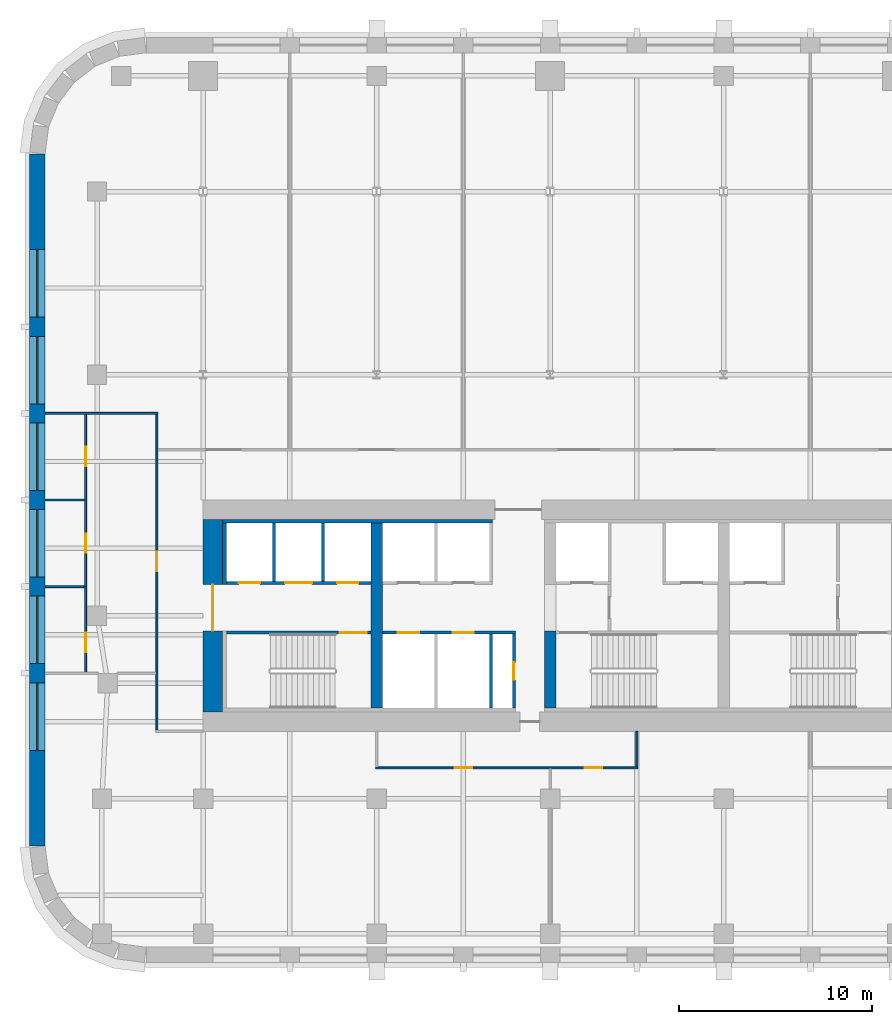
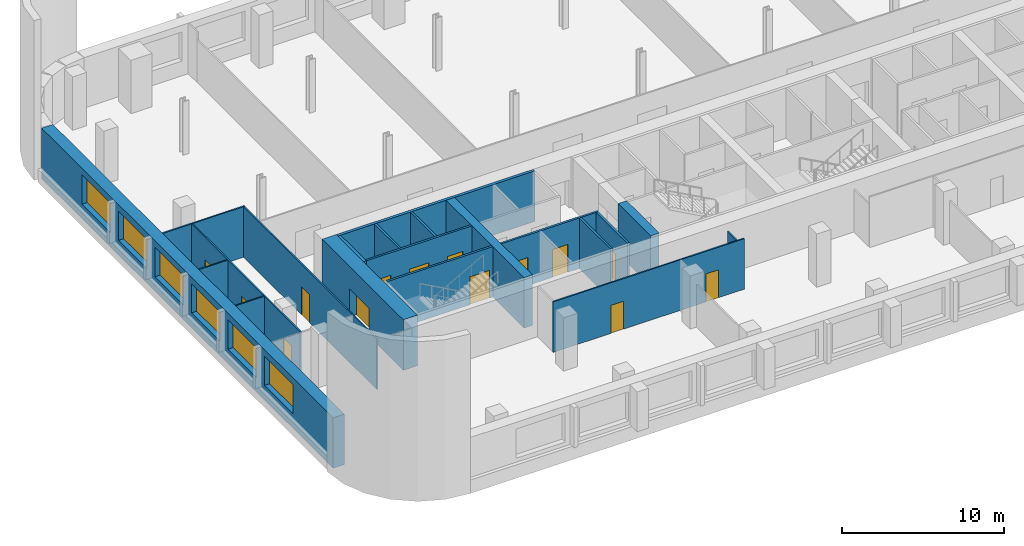
# One storey, part 3 of 9: 20 walls, 14 doors, 6 windows, 20 openings.
"""IFC4 building model written with IfcOpenShell, lengths in metres."""

from ifc_helpers import new_model, si_unit, direction, frame, frame_2d, origin, place, context, subcontext, project, spatial, rectangle, extrude, material, layer, layer_set, type_object, element, fill, save


model = new_model("IFC4")

# Units and contexts
model_context = context("Model", 3, precision=1e-05, world=origin(), true_north=direction((0.0, 1.0)))
body_context = subcontext(model_context, "Body", "Model", "MODEL_VIEW")
ifc_project = project(units=[si_unit("LENGTHUNIT", "METRE"), si_unit("AREAUNIT", "SQUARE_METRE"), si_unit("VOLUMEUNIT", "CUBIC_METRE"), si_unit("PLANEANGLEUNIT", "RADIAN"), si_unit("MASSUNIT", "GRAM", prefix="KILO")], contexts=[model_context])

# Site, building, storey
site_placement = place(None, origin())
site = spatial("IfcSite", under=ifc_project, at=site_placement, CompositionType="ELEMENT")
building_placement = place(site_placement, origin())
building = spatial("IfcBuilding", under=site, at=building_placement, Name="Zellij Exchange Tower", CompositionType="ELEMENT")
storey_placement = place(building_placement, frame((0.0, 0.0, 132.5)))
storey = spatial("IfcBuildingStorey", under=building, at=storey_placement, Name="L29", CompositionType="ELEMENT", Elevation=132.5)

# Walls
ifc_material_1 = material(Name="Concrete C70/85", Category="concrete")
ifc_layer_1 = layer(ifc_material_1, 0.60009765625)
ifc_layer_set_1 = layer_set([ifc_layer_1], Name="Concrete C70/85")
wall_type_1 = type_object("IfcWallType", Name="CORE-CW 600 C70/85", PredefinedType="SHEAR", material=ifc_layer_set_1)
wall_1_placement = place(storey_placement, frame((-18.0, -12.800048828125, 0.0), z_axis=(0.0, 0.0, 1.0), x_axis=(0.0, 1.0, 0.0)))
element("IfcWall", 1, at=wall_1_placement, inside=storey, type_object=wall_type_1, Name="Core cross wall x -18 L29", PredefinedType="SHEAR", context=body_context, shape_type="SweptSolid", body=[
    extrude(rectangle(XDim=9.60009765625, YDim=0.60009765625, at=frame_2d((4.800048828125, 0.0))), origin(), (0.0, 0.0, 1.0), 3.800048828125),
])
wall_2_placement = place(storey_placement, frame((-9.0, -12.800048828125, 0.0), z_axis=(0.0, 0.0, 1.0), x_axis=(0.0, 1.0, 0.0)))
element("IfcWall", 2, at=wall_2_placement, inside=storey, type_object=wall_type_1, Name="Core cross wall pier x -9 a L29", PredefinedType="SHEAR", context=body_context, shape_type="SweptSolid", body=[
    extrude(rectangle(XDim=4.0, YDim=0.60009765625, at=frame_2d((2.0, 0.0))), origin(), (0.0, 0.0, 1.0), 3.800048828125),
])
ifc_material_2 = material(Name="Concrete C30/37", Category="concrete")
ifc_layer_2 = layer(ifc_material_2, 0.199951171875)
ifc_layer_set_2 = layer_set([ifc_layer_2], Name="Concrete C30/37")
wall_type_2 = type_object("IfcWallType", Name="CORE-LW 200 C30/37", PredefinedType="SHEAR", material=ifc_layer_set_2)
wall_3_placement = place(storey_placement, frame((-26.0, -3.10009765625, 0.0), z_axis=(0.0, 0.0, 1.0), x_axis=(1.0, 0.0, 0.0)))
element("IfcWall", 3, at=wall_3_placement, inside=storey, type_object=wall_type_2, Name="Core wall lining front.0 L29", PredefinedType="SHEAR", context=body_context, shape_type="SweptSolid", body=[
    extrude(rectangle(XDim=14.0, YDim=0.199951171875, at=frame_2d((7.0, 0.0))), origin(), (0.0, 0.0, 1.0), 3.800048828125),
])
wall_4_placement = place(storey_placement, frame((-25.89990234375, -6.375, 0.0), z_axis=(0.0, 0.0, 1.0), x_axis=(0.0, 1.0, 0.0)))
element("IfcWall", 4, at=wall_4_placement, inside=storey, type_object=wall_type_2, Name="Core wall lining end w.1 L29", PredefinedType="SHEAR", context=body_context, shape_type="SweptSolid", body=[
    extrude(rectangle(XDim=3.175048828125, YDim=0.199951171875, at=frame_2d((1.58740234375, 0.0))), origin(), (0.0, 0.0, 1.0), 3.800048828125),
])

# Wall, opening, door
ifc_material_3 = material(Name="Gypsum board partition")
ifc_layer_3 = layer(ifc_material_3, 0.14990234375)
ifc_layer_set_3 = layer_set([ifc_layer_3], Name="Gypsum board partition")
wall_type_3 = type_object("IfcWallType", Name="CORE-PW 150 Lift lobby wall", PredefinedType="PARTITIONING", material=ifc_layer_set_3)
wall_5_placement = place(storey_placement, frame((-10.875, -12.800048828125, 0.0), z_axis=(0.0, 0.0, 1.0), x_axis=(0.0, 1.0, 0.0)))
wall_5 = element("IfcWall", 5, at=wall_5_placement, inside=storey, type_object=wall_type_3, Name="Lift lobby wall L29", PredefinedType="PARTITIONING", context=body_context, shape_type="SweptSolid", body=[
    extrude(rectangle(XDim=3.85009765625, YDim=0.14990234375, at=frame_2d((1.925048828125, 0.0))), origin(), (0.0, 0.0, 1.0), 3.800048828125),
])
opening_1_placement = place(wall_5_placement, frame((1.47509765625, 0.0, 0.0)))
opening_1 = element("IfcOpeningElement", 6, at=opening_1_placement, cuts=wall_5, Name="Opening CA-15.10", PredefinedType="OPENING", context=body_context, shape_type="SweptSolid", body=[
    extrude(rectangle(XDim=0.89990234375, YDim=2.10009765625, at=frame_2d((0.449951171875, 1.050048828125))), frame((0.0, 0.0869140625, 0.0), z_axis=(0.0, -1.0, 0.0), x_axis=(1.0, 0.0, 0.0)), (0.0, 0.0, 1.0), 0.173828125),
])
ifc_material_4 = material(Name="Hollow metal fire door")
door_type_1 = type_object("IfcDoorType", Name="CORE-D RD Riser door 900x2100 1.5 HR", OperationType="NOTDEFINED", PredefinedType="DOOR", material=ifc_material_4)
door_1_placement = place(opening_1_placement, origin())
door_1 = element("IfcDoor", 7, at=door_1_placement, inside=storey, type_object=door_type_1, Name="Riser door CA-15.10", OperationType="SINGLE_SWING_RIGHT", OverallHeight=2.10009765625, OverallWidth=0.89990234375, PredefinedType="DOOR", context=body_context, shape_type="SweptSolid", body=[
    extrude(rectangle(XDim=0.89990234375, YDim=2.10009765625, at=frame_2d((0.449951171875, 1.050048828125))), frame((0.0, 0.02490234375, 0.0), z_axis=(0.0, -1.0, 0.0), x_axis=(1.0, 0.0, 0.0)), (0.0, 0.0, 1.0), 0.050048828125),
])
fill(opening_1, door_1)

# Walls
ifc_material_5 = material(Name="Gypsum shaft wall system")
ifc_layer_4 = layer(ifc_material_5, 0.14990234375)
ifc_layer_set_4 = layer_set([ifc_layer_4], Name="Gypsum shaft wall system")
wall_type_4 = type_object("IfcWallType", Name="CORE-PW 150 Lift shaft wall", PredefinedType="PARTITIONING", material=ifc_layer_set_4)
for number, where, z_axis, x_axis, name in (
    (8, (-20.77490234375, -6.22509765625, 0.0), (0.0, 0.0, 1.0), (0.0, 1.0, 0.0), "Lift shaft wall L29"),
    (9, (-23.324951171875, -6.22509765625, 0.0), (0.0, 0.0, 1.0), (0.0, 1.0, 0.0), "Lift shaft wall L29"),
):
    element("IfcWall", number, at=place(storey_placement, frame(where, z_axis=z_axis, x_axis=x_axis)), inside=storey, type_object=wall_type_4, Name=name, PredefinedType="PARTITIONING", context=body_context, shape_type="SweptSolid", body=[
        extrude(rectangle(XDim=3.025146484375, YDim=0.14990234375, at=frame_2d((1.5126953125, 0.0))), origin(), (0.0, 0.0, 1.0), 3.800048828125),
    ])
wall_6_placement = place(storey_placement, frame((-12.074951171875, -12.800048828125, 0.0), z_axis=(0.0, 0.0, 1.0), x_axis=(0.0, 1.0, 0.0)))
element("IfcWall", 10, at=wall_6_placement, inside=storey, type_object=wall_type_4, Name="Lift shaft wall L29", PredefinedType="PARTITIONING", context=body_context, shape_type="SweptSolid", body=[
    extrude(rectangle(XDim=3.85009765625, YDim=0.14990234375, at=frame_2d((1.925048828125, 0.0))), origin(), (0.0, 0.0, 1.0), 3.800048828125),
])

# Wall, openings, doors
wall_7_placement = place(storey_placement, frame((-25.800048828125, -6.300048828125, 0.0), z_axis=(0.0, 0.0, 1.0), x_axis=(1.0, 0.0, 0.0)))
wall_7 = element("IfcWall", 11, at=wall_7_placement, inside=storey, type_object=wall_type_4, Name="Lift shaft wall L29", PredefinedType="PARTITIONING", context=body_context, shape_type="SweptSolid", body=[
    extrude(rectangle(XDim=7.5, YDim=0.14990234375, at=frame_2d((3.75, 0.0))), origin(), (0.0, 0.0, 1.0), 3.800048828125),
])
opening_2_placement = place(wall_7_placement, frame((0.64990234375, 0.0, 0.0)))
opening_2 = element("IfcOpeningElement", 12, at=opening_2_placement, cuts=wall_7, Name="Opening CA-15.02", PredefinedType="OPENING", context=body_context, shape_type="SweptSolid", body=[
    extrude(rectangle(XDim=1.10009765625, YDim=2.10009765625, at=frame_2d((0.550048828125, 1.050048828125))), frame((0.0, 0.0869140625, 0.0), z_axis=(0.0, -1.0, 0.0), x_axis=(1.0, 0.0, 0.0)), (0.0, 0.0, 1.0), 0.173828125),
])
opening_3_placement = place(wall_7_placement, frame((3.050048828125, 0.0, 0.0)))
opening_3 = element("IfcOpeningElement", 13, at=opening_3_placement, cuts=wall_7, Name="Opening CA-15.03", PredefinedType="OPENING", context=body_context, shape_type="SweptSolid", body=[
    extrude(rectangle(XDim=1.39990234375, YDim=2.10009765625, at=frame_2d((0.699951171875, 1.050048828125))), frame((0.0, 0.0869140625, 0.0), z_axis=(0.0, -1.0, 0.0), x_axis=(1.0, 0.0, 0.0)), (0.0, 0.0, 1.0), 0.173828125),
])
opening_4_placement = place(wall_7_placement, frame((5.75, 0.0, 0.0)))
opening_4 = element("IfcOpeningElement", 14, at=opening_4_placement, cuts=wall_7, Name="Opening CA-15.04", PredefinedType="OPENING", context=body_context, shape_type="SweptSolid", body=[
    extrude(rectangle(XDim=1.10009765625, YDim=2.10009765625, at=frame_2d((0.550048828125, 1.050048828125))), frame((0.0, 0.0869140625, 0.0), z_axis=(0.0, -1.0, 0.0), x_axis=(1.0, 0.0, 0.0)), (0.0, 0.0, 1.0), 0.173828125),
])
door_type_2 = type_object("IfcDoorType", Name="CORE-D LD Lift landing door 1100x2100 1.5 HR", OperationType="NOTDEFINED", PredefinedType="DOOR", material=ifc_material_4)
door_2_placement = place(opening_2_placement, origin())
door_2 = element("IfcDoor", 15, at=door_2_placement, inside=storey, type_object=door_type_2, Name="Lift landing door CA-15.02", OperationType="SLIDING_TO_RIGHT", OverallHeight=2.10009765625, OverallWidth=1.10009765625, PredefinedType="DOOR", context=body_context, shape_type="SweptSolid", body=[
    extrude(rectangle(XDim=1.10009765625, YDim=2.10009765625, at=frame_2d((0.550048828125, 1.050048828125))), frame((0.0, 0.02490234375, 0.0), z_axis=(0.0, -1.0, 0.0), x_axis=(1.0, 0.0, 0.0)), (0.0, 0.0, 1.0), 0.050048828125),
])
fill(opening_2, door_2)
door_3_placement = place(opening_4_placement, origin())
door_3 = element("IfcDoor", 16, at=door_3_placement, inside=storey, type_object=door_type_2, Name="Lift landing door CA-15.04", OperationType="SLIDING_TO_RIGHT", OverallHeight=2.10009765625, OverallWidth=1.10009765625, PredefinedType="DOOR", context=body_context, shape_type="SweptSolid", body=[
    extrude(rectangle(XDim=1.10009765625, YDim=2.10009765625, at=frame_2d((0.550048828125, 1.050048828125))), frame((0.0, 0.02490234375, 0.0), z_axis=(0.0, -1.0, 0.0), x_axis=(1.0, 0.0, 0.0)), (0.0, 0.0, 1.0), 0.050048828125),
])
fill(opening_4, door_3)
door_type_3 = type_object("IfcDoorType", Name="CORE-D LD2 Service lift landing door 1400x2100 1.5 HR", OperationType="NOTDEFINED", PredefinedType="DOOR", material=ifc_material_4)
door_4_placement = place(opening_3_placement, origin())
door_4 = element("IfcDoor", 17, at=door_4_placement, inside=storey, type_object=door_type_3, Name="Service lift landing door CA-15.03", OperationType="SLIDING_TO_LEFT", OverallHeight=2.10009765625, OverallWidth=1.39990234375, PredefinedType="DOOR", context=body_context, shape_type="SweptSolid", body=[
    extrude(rectangle(XDim=1.39990234375, YDim=2.10009765625, at=frame_2d((0.699951171875, 1.050048828125))), frame((0.0, 0.02490234375, 0.0), z_axis=(0.0, -1.0, 0.0), x_axis=(1.0, 0.0, 0.0)), (0.0, 0.0, 1.0), 0.050048828125),
])
fill(opening_3, door_4)

wall_8_placement = place(storey_placement, frame((-17.699951171875, -8.875, 0.0), z_axis=(0.0, 0.0, 1.0), x_axis=(1.0, 0.0, 0.0)))
wall_8 = element("IfcWall", 18, at=wall_8_placement, inside=storey, type_object=wall_type_4, Name="Lift shaft wall L29", PredefinedType="PARTITIONING", context=body_context, shape_type="SweptSolid", body=[
    extrude(rectangle(XDim=6.89990234375, YDim=0.14990234375, at=frame_2d((3.449951171875, 0.0))), origin(), (0.0, 0.0, 1.0), 3.800048828125),
])
opening_5_placement = place(wall_8_placement, frame((0.800048828125, 0.0, 0.0)))
opening_5 = element("IfcOpeningElement", 19, at=opening_5_placement, cuts=wall_8, Name="Opening CA-15.06", PredefinedType="OPENING", context=body_context, shape_type="SweptSolid", body=[
    extrude(rectangle(XDim=1.10009765625, YDim=2.10009765625, at=frame_2d((0.550048828125, 1.050048828125))), frame((0.0, 0.0869140625, 0.0), z_axis=(0.0, -1.0, 0.0), x_axis=(1.0, 0.0, 0.0)), (0.0, 0.0, 1.0), 0.173828125),
])
opening_6_placement = place(wall_8_placement, frame((3.64990234375, 0.0, 0.0)))
opening_6 = element("IfcOpeningElement", 20, at=opening_6_placement, cuts=wall_8, Name="Opening CA-15.08", PredefinedType="OPENING", context=body_context, shape_type="SweptSolid", body=[
    extrude(rectangle(XDim=1.10009765625, YDim=2.10009765625, at=frame_2d((0.550048828125, 1.050048828125))), frame((0.0, 0.0869140625, 0.0), z_axis=(0.0, -1.0, 0.0), x_axis=(1.0, 0.0, 0.0)), (0.0, 0.0, 1.0), 0.173828125),
])
door_5_placement = place(opening_5_placement, origin())
door_5 = element("IfcDoor", 21, at=door_5_placement, inside=storey, type_object=door_type_2, Name="Lift landing door CA-15.06", OperationType="SLIDING_TO_RIGHT", OverallHeight=2.10009765625, OverallWidth=1.10009765625, PredefinedType="DOOR", context=body_context, shape_type="SweptSolid", body=[
    extrude(rectangle(XDim=1.10009765625, YDim=2.10009765625, at=frame_2d((0.550048828125, 1.050048828125))), frame((0.0, 0.02490234375, 0.0), z_axis=(0.0, -1.0, 0.0), x_axis=(1.0, 0.0, 0.0)), (0.0, 0.0, 1.0), 0.050048828125),
])
fill(opening_5, door_5)
door_6_placement = place(opening_6_placement, origin())
door_6 = element("IfcDoor", 22, at=door_6_placement, inside=storey, type_object=door_type_2, Name="Lift landing door CA-15.08", OperationType="SLIDING_TO_RIGHT", OverallHeight=2.10009765625, OverallWidth=1.10009765625, PredefinedType="DOOR", context=body_context, shape_type="SweptSolid", body=[
    extrude(rectangle(XDim=1.10009765625, YDim=2.10009765625, at=frame_2d((0.550048828125, 1.050048828125))), frame((0.0, 0.02490234375, 0.0), z_axis=(0.0, -1.0, 0.0), x_axis=(1.0, 0.0, 0.0)), (0.0, 0.0, 1.0), 0.050048828125),
])
fill(opening_6, door_6)

# Wall, opening, door
ifc_layer_5 = layer(ifc_material_1, 1.0)
ifc_layer_set_5 = layer_set([ifc_layer_5], Name="Concrete C70/85")
wall_type_5 = type_object("IfcWallType", Name="CORE-SW 1000 C70/85", PredefinedType="SHEAR", material=ifc_layer_set_5)
wall_9_placement = place(storey_placement, frame((-26.5, -13.0, 0.0), z_axis=(0.0, 0.0, 1.0), x_axis=(0.0, 1.0, 0.0)))
wall_9 = element("IfcWall", 23, at=wall_9_placement, inside=storey, type_object=wall_type_5, Name="Core shear wall end w L29", PredefinedType="SHEAR", context=body_context, shape_type="SweptSolid", body=[
    extrude(rectangle(XDim=10.0, YDim=1.0, at=frame_2d((5.0, 0.0))), origin(), (0.0, 0.0, 1.0), 3.800048828125),
])
opening_7_placement = place(wall_9_placement, frame((4.2119140625, 0.0, 0.0)))
opening_7 = element("IfcOpeningElement", 24, at=opening_7_placement, cuts=wall_9, Name="Opening CA-15.01", PredefinedType="OPENING", context=body_context, shape_type="SweptSolid", body=[
    extrude(rectangle(XDim=2.39990234375, YDim=2.10009765625, at=frame_2d((1.199951171875, 1.050048828125))), frame((0.0, 0.511962890625, 0.0), z_axis=(0.0, -1.0, 0.0), x_axis=(1.0, 0.0, 0.0)), (0.0, 0.0, 1.0), 1.02392578125),
])
door_type_4 = type_object("IfcDoorType", Name="CORE-D CE Core entrance door 2400x2100 20 MIN", OperationType="NOTDEFINED", PredefinedType="DOOR", material=ifc_material_4)
door_7_placement = place(opening_7_placement, origin())
door_7 = element("IfcDoor", 25, at=door_7_placement, inside=storey, type_object=door_type_4, Name="Core entrance door CA-15.01", OperationType="DOUBLE_DOOR_SINGLE_SWING", OverallHeight=2.10009765625, OverallWidth=2.39990234375, PredefinedType="DOOR", context=body_context, shape_type="SweptSolid", body=[
    extrude(rectangle(XDim=2.39990234375, YDim=2.10009765625, at=frame_2d((1.199951171875, 1.050048828125))), frame((0.0, 0.02490234375, 0.0), z_axis=(0.0, -1.0, 0.0), x_axis=(1.0, 0.0, 0.0)), (0.0, 0.0, 1.0), 0.050048828125),
])
fill(opening_7, door_7)

ifc_layer_6 = layer(ifc_material_1, 0.14990234375)
ifc_layer_set_6 = layer_set([ifc_layer_6], Name="Concrete C70/85")
wall_type_6 = type_object("IfcWallType", Name="CORE-SWS 150 C70/85", PredefinedType="SHEAR", material=ifc_layer_set_6)
wall_10_placement = place(storey_placement, frame((-25.800048828125, -8.875, 0.0), z_axis=(0.0, 0.0, 1.0), x_axis=(1.0, 0.0, 0.0)))
wall_10 = element("IfcWall", 26, at=wall_10_placement, inside=storey, type_object=wall_type_6, Name="Stair enclosure wall L29", PredefinedType="SHEAR", context=body_context, shape_type="SweptSolid", body=[
    extrude(rectangle(XDim=7.5, YDim=0.14990234375, at=frame_2d((3.75, 0.0))), origin(), (0.0, 0.0, 1.0), 3.800048828125),
])
opening_8_placement = place(wall_10_placement, frame((5.875, 0.0, 0.0)))
opening_8 = element("IfcOpeningElement", 27, at=opening_8_placement, cuts=wall_10, Name="Opening CA-15.05", PredefinedType="OPENING", context=body_context, shape_type="SweptSolid", body=[
    extrude(rectangle(XDim=1.39990234375, YDim=2.10009765625, at=frame_2d((0.699951171875, 1.050048828125))), frame((0.0, 0.0869140625, 0.0), z_axis=(0.0, -1.0, 0.0), x_axis=(1.0, 0.0, 0.0)), (0.0, 0.0, 1.0), 0.173828125),
])
door_type_5 = type_object("IfcDoorType", Name="CORE-D SD Stair door 1400x2100 1.5 HR", OperationType="NOTDEFINED", PredefinedType="DOOR", material=ifc_material_4)
door_8_placement = place(opening_8_placement, origin())
door_8 = element("IfcDoor", 28, at=door_8_placement, inside=storey, type_object=door_type_5, Name="Stair door CA-15.05", OperationType="DOUBLE_DOOR_SINGLE_SWING", OverallHeight=2.10009765625, OverallWidth=1.39990234375, PredefinedType="DOOR", context=body_context, shape_type="SweptSolid", body=[
    extrude(rectangle(XDim=1.39990234375, YDim=2.10009765625, at=frame_2d((0.699951171875, 1.050048828125))), frame((0.0, 0.02490234375, 0.0), z_axis=(0.0, -1.0, 0.0), x_axis=(1.0, 0.0, 0.0)), (0.0, 0.0, 1.0), 0.050048828125),
])
fill(opening_8, door_8)

# Wall, openings, windows
ifc_material_6 = material(Name="Precast concrete C40/50", Category="concrete")
ifc_layer_7 = layer(ifc_material_6, 0.800048828125)
ifc_layer_set_7 = layer_set([ifc_layer_7], Name="Precast concrete C40/50")
wall_type_7 = type_object("IfcWallType", Name="ENV-EW1 Precast stone-piered wall 800", PredefinedType="SOLIDWALL", material=ifc_layer_set_7)
wall_11_placement = place(storey_placement, frame((-35.60009765625, 15.947509765625, 0.0), z_axis=(0.0, 0.0, 1.0), x_axis=(0.0, -1.0, 0.0)))
wall_11 = element("IfcWall", 29, at=wall_11_placement, inside=storey, type_object=wall_type_7, Name="fac.L29.26", PredefinedType="SOLIDWALL", context=body_context, shape_type="SweptSolid", body=[
    extrude(rectangle(XDim=35.89501953125, YDim=0.800048828125, at=frame_2d((17.947509765625, 0.0))), origin(), (0.0, 0.0, 1.0), 3.800048828125),
])
opening_9_placement = place(wall_11_placement, frame((4.9638671875, 0.0, 1.10009765625)))
opening_9 = element("IfcOpeningElement", 30, at=opening_9_placement, cuts=wall_11, Name="Opening FZ2.31", PredefinedType="OPENING", context=body_context, shape_type="SweptSolid", body=[
    extrude(rectangle(XDim=3.5, YDim=2.199951171875, at=frame_2d((1.75, 1.10009765625))), frame((0.0, 0.412109375, 0.0), z_axis=(0.0, -1.0, 0.0), x_axis=(1.0, 0.0, 0.0)), (0.0, 0.0, 1.0), 0.823974609375),
])
opening_10_placement = place(wall_11_placement, frame((9.45751953125, 0.0, 1.10009765625)))
opening_10 = element("IfcOpeningElement", 31, at=opening_10_placement, cuts=wall_11, Name="Opening FZ2.32", PredefinedType="OPENING", context=body_context, shape_type="SweptSolid", body=[
    extrude(rectangle(XDim=3.5, YDim=2.199951171875, at=frame_2d((1.75, 1.10009765625))), frame((0.0, 0.412109375, 0.0), z_axis=(0.0, -1.0, 0.0), x_axis=(1.0, 0.0, 0.0)), (0.0, 0.0, 1.0), 0.823974609375),
])
opening_11_placement = place(wall_11_placement, frame((13.950927734375, 0.0, 1.10009765625)))
opening_11 = element("IfcOpeningElement", 32, at=opening_11_placement, cuts=wall_11, Name="Opening FZ2.33", PredefinedType="OPENING", context=body_context, shape_type="SweptSolid", body=[
    extrude(rectangle(XDim=3.5, YDim=2.199951171875, at=frame_2d((1.75, 1.10009765625))), frame((0.0, 0.412109375, 0.0), z_axis=(0.0, -1.0, 0.0), x_axis=(1.0, 0.0, 0.0)), (0.0, 0.0, 1.0), 0.823974609375),
])
opening_12_placement = place(wall_11_placement, frame((18.4443359375, 0.0, 1.10009765625)))
opening_12 = element("IfcOpeningElement", 33, at=opening_12_placement, cuts=wall_11, Name="Opening FZ2.34", PredefinedType="OPENING", context=body_context, shape_type="SweptSolid", body=[
    extrude(rectangle(XDim=3.5, YDim=2.199951171875, at=frame_2d((1.75, 1.10009765625))), frame((0.0, 0.412109375, 0.0), z_axis=(0.0, -1.0, 0.0), x_axis=(1.0, 0.0, 0.0)), (0.0, 0.0, 1.0), 0.823974609375),
])
opening_13_placement = place(wall_11_placement, frame((22.937744140625, 0.0, 1.10009765625)))
opening_13 = element("IfcOpeningElement", 34, at=opening_13_placement, cuts=wall_11, Name="Opening FZ2.35", PredefinedType="OPENING", context=body_context, shape_type="SweptSolid", body=[
    extrude(rectangle(XDim=3.5, YDim=2.199951171875, at=frame_2d((1.75, 1.10009765625))), frame((0.0, 0.412109375, 0.0), z_axis=(0.0, -1.0, 0.0), x_axis=(1.0, 0.0, 0.0)), (0.0, 0.0, 1.0), 0.823974609375),
])
opening_14_placement = place(wall_11_placement, frame((27.43115234375, 0.0, 1.10009765625)))
opening_14 = element("IfcOpeningElement", 35, at=opening_14_placement, cuts=wall_11, Name="Opening FZ2.36", PredefinedType="OPENING", context=body_context, shape_type="SweptSolid", body=[
    extrude(rectangle(XDim=3.5, YDim=2.199951171875, at=frame_2d((1.75, 1.10009765625))), frame((0.0, 0.412109375, 0.0), z_axis=(0.0, -1.0, 0.0), x_axis=(1.0, 0.0, 0.0)), (0.0, 0.0, 1.0), 0.823974609375),
])
ifc_material_7 = material(Name="Aluminium frame with insulating glass", Category="aluminium")
window_type = type_object("IfcWindowType", Name="ENV-W7 Window 3500x2200", PartitioningType="SINGLE_PANEL", PredefinedType="WINDOW", material=ifc_material_7)
window_1_placement = place(opening_9_placement, origin())
window_1 = element("IfcWindow", 36, at=window_1_placement, inside=storey, type_object=window_type, Name="Window FZ2.31", OverallHeight=2.199951171875, OverallWidth=3.5, PartitioningType="SINGLE_PANEL", PredefinedType="WINDOW", context=body_context, shape_type="SweptSolid", body=[
    extrude(rectangle(XDim=3.5, YDim=2.199951171875, at=frame_2d((1.75, 1.10009765625))), frame((0.0, 0.030029296875, 0.0), z_axis=(0.0, -1.0, 0.0), x_axis=(1.0, 0.0, 0.0)), (0.0, 0.0, 1.0), 0.06005859375),
])
fill(opening_9, window_1)
window_2_placement = place(opening_10_placement, origin())
window_2 = element("IfcWindow", 37, at=window_2_placement, inside=storey, type_object=window_type, Name="Window FZ2.32", OverallHeight=2.199951171875, OverallWidth=3.5, PartitioningType="SINGLE_PANEL", PredefinedType="WINDOW", context=body_context, shape_type="SweptSolid", body=[
    extrude(rectangle(XDim=3.5, YDim=2.199951171875, at=frame_2d((1.75, 1.10009765625))), frame((0.0, 0.030029296875, 0.0), z_axis=(0.0, -1.0, 0.0), x_axis=(1.0, 0.0, 0.0)), (0.0, 0.0, 1.0), 0.06005859375),
])
fill(opening_10, window_2)
window_3_placement = place(opening_11_placement, origin())
window_3 = element("IfcWindow", 38, at=window_3_placement, inside=storey, type_object=window_type, Name="Window FZ2.33", OverallHeight=2.199951171875, OverallWidth=3.5, PartitioningType="SINGLE_PANEL", PredefinedType="WINDOW", context=body_context, shape_type="SweptSolid", body=[
    extrude(rectangle(XDim=3.5, YDim=2.199951171875, at=frame_2d((1.75, 1.10009765625))), frame((0.0, 0.030029296875, 0.0), z_axis=(0.0, -1.0, 0.0), x_axis=(1.0, 0.0, 0.0)), (0.0, 0.0, 1.0), 0.06005859375),
])
fill(opening_11, window_3)
window_4_placement = place(opening_12_placement, origin())
window_4 = element("IfcWindow", 39, at=window_4_placement, inside=storey, type_object=window_type, Name="Window FZ2.34", OverallHeight=2.199951171875, OverallWidth=3.5, PartitioningType="SINGLE_PANEL", PredefinedType="WINDOW", context=body_context, shape_type="SweptSolid", body=[
    extrude(rectangle(XDim=3.5, YDim=2.199951171875, at=frame_2d((1.75, 1.10009765625))), frame((0.0, 0.030029296875, 0.0), z_axis=(0.0, -1.0, 0.0), x_axis=(1.0, 0.0, 0.0)), (0.0, 0.0, 1.0), 0.06005859375),
])
fill(opening_12, window_4)
window_5_placement = place(opening_13_placement, origin())
window_5 = element("IfcWindow", 40, at=window_5_placement, inside=storey, type_object=window_type, Name="Window FZ2.35", OverallHeight=2.199951171875, OverallWidth=3.5, PartitioningType="SINGLE_PANEL", PredefinedType="WINDOW", context=body_context, shape_type="SweptSolid", body=[
    extrude(rectangle(XDim=3.5, YDim=2.199951171875, at=frame_2d((1.75, 1.10009765625))), frame((0.0, 0.030029296875, 0.0), z_axis=(0.0, -1.0, 0.0), x_axis=(1.0, 0.0, 0.0)), (0.0, 0.0, 1.0), 0.06005859375),
])
fill(opening_13, window_5)
window_6_placement = place(opening_14_placement, origin())
window_6 = element("IfcWindow", 41, at=window_6_placement, inside=storey, type_object=window_type, Name="Window FZ2.36", OverallHeight=2.199951171875, OverallWidth=3.5, PartitioningType="SINGLE_PANEL", PredefinedType="WINDOW", context=body_context, shape_type="SweptSolid", body=[
    extrude(rectangle(XDim=3.5, YDim=2.199951171875, at=frame_2d((1.75, 1.10009765625))), frame((0.0, 0.030029296875, 0.0), z_axis=(0.0, -1.0, 0.0), x_axis=(1.0, 0.0, 0.0)), (0.0, 0.0, 1.0), 0.06005859375),
])
fill(opening_14, window_6)

# Wall, openings, doors
ifc_material_8 = material(Name="Gypsum board partition on steel studs", Category="steel")
ifc_layer_8 = layer(ifc_material_8, 0.10009765625)
ifc_layer_set_8 = layer_set([ifc_layer_8], Name="Gypsum board partition on steel studs")
wall_type_8 = type_object("IfcWallType", Name="FIT-PARTITION-100", PredefinedType="PARTITIONING", material=ifc_layer_set_8)
wall_12_placement = place(storey_placement, frame((-18.050048828125, -15.89990234375, 0.0), z_axis=(0.0, 0.0, 1.0), x_axis=(1.0, 0.0, 0.0)))
wall_12 = element("IfcWall", 42, at=wall_12_placement, inside=storey, type_object=wall_type_8, Name="FIT-PARTITION-100 005", PredefinedType="PARTITIONING", context=body_context, shape_type="SweptSolid", body=[
    extrude(rectangle(XDim=13.60009765625, YDim=0.10009765625, at=frame_2d((6.800048828125, 0.0))), origin(), (0.0, 0.0, 1.0), 3.800048828125),
])
opening_15_placement = place(wall_12_placement, frame((4.10009765625, 0.0, 0.0)))
opening_15 = element("IfcOpeningElement", 43, at=opening_15_placement, cuts=wall_12, Name="Opening TG.01", PredefinedType="OPENING", context=body_context, shape_type="SweptSolid", body=[
    extrude(rectangle(XDim=0.89990234375, YDim=2.10009765625, at=frame_2d((0.449951171875, 1.050048828125))), frame((0.0, 0.06201171875, 0.0), z_axis=(0.0, -1.0, 0.0), x_axis=(1.0, 0.0, 0.0)), (0.0, 0.0, 1.0), 0.1240234375),
])
opening_16_placement = place(wall_12_placement, frame((10.85009765625, 0.0, 0.0)))
opening_16 = element("IfcOpeningElement", 44, at=opening_16_placement, cuts=wall_12, Name="Opening TG.02", PredefinedType="OPENING", context=body_context, shape_type="SweptSolid", body=[
    extrude(rectangle(XDim=0.89990234375, YDim=2.10009765625, at=frame_2d((0.449951171875, 1.050048828125))), frame((0.0, 0.06201171875, 0.0), z_axis=(0.0, -1.0, 0.0), x_axis=(1.0, 0.0, 0.0)), (0.0, 0.0, 1.0), 0.1240234375),
])
ifc_material_9 = material(Name="Timber door set", Category="wood")
door_type_6 = type_object("IfcDoorType", Name="FIT-D1-ROOM-900X2100", OperationType="SINGLE_SWING_LEFT", PredefinedType="DOOR", material=ifc_material_9)
door_9_placement = place(opening_15_placement, origin())
door_9 = element("IfcDoor", 45, at=door_9_placement, inside=storey, type_object=door_type_6, Name="Door TG.01", OperationType="SINGLE_SWING_LEFT", OverallHeight=2.10009765625, OverallWidth=0.89990234375, PredefinedType="DOOR", context=body_context, shape_type="SweptSolid", body=[
    extrude(rectangle(XDim=0.89990234375, YDim=2.10009765625, at=frame_2d((0.449951171875, 1.050048828125))), frame((0.0, 0.02490234375, 0.0), z_axis=(0.0, -1.0, 0.0), x_axis=(1.0, 0.0, 0.0)), (0.0, 0.0, 1.0), 0.050048828125),
])
fill(opening_15, door_9)
door_10_placement = place(opening_16_placement, origin())
door_10 = element("IfcDoor", 46, at=door_10_placement, inside=storey, type_object=door_type_6, Name="Door TG.02", OperationType="SINGLE_SWING_LEFT", OverallHeight=2.10009765625, OverallWidth=0.89990234375, PredefinedType="DOOR", context=body_context, shape_type="SweptSolid", body=[
    extrude(rectangle(XDim=0.89990234375, YDim=2.10009765625, at=frame_2d((0.449951171875, 1.050048828125))), frame((0.0, 0.02490234375, 0.0), z_axis=(0.0, -1.0, 0.0), x_axis=(1.0, 0.0, 0.0)), (0.0, 0.0, 1.0), 0.050048828125),
])
fill(opening_16, door_10)

# Wall
wall_13_placement = place(storey_placement, frame((-4.5, -15.85009765625, 0.0), z_axis=(0.0, 0.0, 1.0), x_axis=(0.0, 1.0, 0.0)))
element("IfcWall", 47, at=wall_13_placement, inside=storey, type_object=wall_type_8, Name="FIT-PARTITION-100 007", PredefinedType="PARTITIONING", context=body_context, shape_type="SweptSolid", body=[
    extrude(rectangle(XDim=1.85009765625, YDim=0.10009765625, at=frame_2d((0.925048828125, 0.0))), origin(), (0.0, 0.0, 1.0), 3.197998046875),
])

# Wall, opening, door
wall_14_placement = place(storey_placement, frame((-29.39990234375, -13.949951171875, 0.0), z_axis=(0.0, 0.0, 1.0), x_axis=(0.0, 1.0, 0.0)))
wall_14 = element("IfcWall", 48, at=wall_14_placement, inside=storey, type_object=wall_type_8, Name="FIT-PARTITION-100 012", PredefinedType="PARTITIONING", context=body_context, shape_type="SweptSolid", body=[
    extrude(rectangle(XDim=16.389892578125, YDim=0.10009765625, at=frame_2d((8.19482421875, 0.0))), origin(), (0.0, 0.0, 1.0), 3.800048828125),
])
opening_17_placement = place(wall_14_placement, frame((8.260009765625, 0.0, 0.0)))
opening_17 = element("IfcOpeningElement", 49, at=opening_17_placement, cuts=wall_14, Name="Opening TG.06", PredefinedType="OPENING", context=body_context, shape_type="SweptSolid", body=[
    extrude(rectangle(XDim=1.0, YDim=2.10009765625, at=frame_2d((0.5, 1.050048828125))), frame((0.0, 0.06201171875, 0.0), z_axis=(0.0, -1.0, 0.0), x_axis=(1.0, 0.0, 0.0)), (0.0, 0.0, 1.0), 0.1240234375),
])
door_type_7 = type_object("IfcDoorType", Name="FIT-D2-WIDE-1000X2100", OperationType="SINGLE_SWING_LEFT", PredefinedType="DOOR", material=ifc_material_9)
door_11_placement = place(opening_17_placement, origin())
door_11 = element("IfcDoor", 50, at=door_11_placement, inside=storey, type_object=door_type_7, Name="Door TG.06", OperationType="SINGLE_SWING_RIGHT", OverallHeight=2.10009765625, OverallWidth=1.0, PredefinedType="DOOR", context=body_context, shape_type="SweptSolid", body=[
    extrude(rectangle(XDim=1.0, YDim=2.10009765625, at=frame_2d((0.5, 1.050048828125))), frame((0.0, 0.02490234375, 0.0), z_axis=(0.0, -1.0, 0.0), x_axis=(1.0, 0.0, 0.0)), (0.0, 0.0, 1.0), 0.050048828125),
])
fill(opening_17, door_11)

# Wall, openings, doors
wall_15_placement = place(storey_placement, frame((-33.10009765625, -10.93994140625, 0.0), z_axis=(0.0, 0.0, 1.0), x_axis=(0.0, 1.0, 0.0)))
wall_15 = element("IfcWall", 51, at=wall_15_placement, inside=storey, type_object=wall_type_8, Name="FIT-PARTITION-100 017", PredefinedType="PARTITIONING", context=body_context, shape_type="SweptSolid", body=[
    extrude(rectangle(XDim=13.3798828125, YDim=0.10009765625, at=frame_2d((6.68994140625, 0.0))), origin(), (0.0, 0.0, 1.0), 3.800048828125),
])
opening_18_placement = place(wall_15_placement, frame((1.050048828125, 0.0, 0.0)))
opening_18 = element("IfcOpeningElement", 52, at=opening_18_placement, cuts=wall_15, Name="Opening TG.04", PredefinedType="OPENING", context=body_context, shape_type="SweptSolid", body=[
    extrude(rectangle(XDim=1.0, YDim=2.10009765625, at=frame_2d((0.5, 1.050048828125))), frame((0.0, 0.06201171875, 0.0), z_axis=(0.0, -1.0, 0.0), x_axis=(1.0, 0.0, 0.0)), (0.0, 0.0, 1.0), 0.1240234375),
])
opening_19_placement = place(wall_15_placement, frame((6.199951171875, 0.0, 0.0)))
opening_19 = element("IfcOpeningElement", 53, at=opening_19_placement, cuts=wall_15, Name="Opening TG.07", PredefinedType="OPENING", context=body_context, shape_type="SweptSolid", body=[
    extrude(rectangle(XDim=1.0, YDim=2.10009765625, at=frame_2d((0.5, 1.050048828125))), frame((0.0, 0.06201171875, 0.0), z_axis=(0.0, -1.0, 0.0), x_axis=(1.0, 0.0, 0.0)), (0.0, 0.0, 1.0), 0.1240234375),
])
opening_20_placement = place(wall_15_placement, frame((10.68994140625, 0.0, 0.0)))
opening_20 = element("IfcOpeningElement", 54, at=opening_20_placement, cuts=wall_15, Name="Opening TG.08", PredefinedType="OPENING", context=body_context, shape_type="SweptSolid", body=[
    extrude(rectangle(XDim=1.0, YDim=2.10009765625, at=frame_2d((0.5, 1.050048828125))), frame((0.0, 0.06201171875, 0.0), z_axis=(0.0, -1.0, 0.0), x_axis=(1.0, 0.0, 0.0)), (0.0, 0.0, 1.0), 0.1240234375),
])
door_12_placement = place(opening_18_placement, origin())
door_12 = element("IfcDoor", 55, at=door_12_placement, inside=storey, type_object=door_type_7, Name="Door TG.04", OperationType="SINGLE_SWING_RIGHT", OverallHeight=2.10009765625, OverallWidth=1.0, PredefinedType="DOOR", context=body_context, shape_type="SweptSolid", body=[
    extrude(rectangle(XDim=1.0, YDim=2.10009765625, at=frame_2d((0.5, 1.050048828125))), frame((0.0, 0.02490234375, 0.0), z_axis=(0.0, -1.0, 0.0), x_axis=(1.0, 0.0, 0.0)), (0.0, 0.0, 1.0), 0.050048828125),
])
fill(opening_18, door_12)
door_13_placement = place(opening_19_placement, origin())
door_13 = element("IfcDoor", 56, at=door_13_placement, inside=storey, type_object=door_type_7, Name="Door TG.07", OperationType="SINGLE_SWING_LEFT", OverallHeight=2.10009765625, OverallWidth=1.0, PredefinedType="DOOR", context=body_context, shape_type="SweptSolid", body=[
    extrude(rectangle(XDim=1.0, YDim=2.10009765625, at=frame_2d((0.5, 1.050048828125))), frame((0.0, 0.02490234375, 0.0), z_axis=(0.0, -1.0, 0.0), x_axis=(1.0, 0.0, 0.0)), (0.0, 0.0, 1.0), 0.050048828125),
])
fill(opening_19, door_13)
door_14_placement = place(opening_20_placement, origin())
door_14 = element("IfcDoor", 57, at=door_14_placement, inside=storey, type_object=door_type_7, Name="Door TG.08", OperationType="SINGLE_SWING_LEFT", OverallHeight=2.10009765625, OverallWidth=1.0, PredefinedType="DOOR", context=body_context, shape_type="SweptSolid", body=[
    extrude(rectangle(XDim=1.0, YDim=2.10009765625, at=frame_2d((0.5, 1.050048828125))), frame((0.0, 0.02490234375, 0.0), z_axis=(0.0, -1.0, 0.0), x_axis=(1.0, 0.0, 0.0)), (0.0, 0.0, 1.0), 0.050048828125),
])
fill(opening_20, door_14)

# Walls
for number, where, z_axis, x_axis, name in (
    (58, (-35.199951171875, -6.489990234375, 0.0), (0.0, 0.0, 1.0), (1.0, 0.0, 0.0), "FIT-PARTITION-100 019"),
    (59, (-35.199951171875, -2.0, 0.0), (0.0, 0.0, 1.0), (1.0, 0.0, 0.0), "FIT-PARTITION-100 022"),
):
    element("IfcWall", number, at=place(storey_placement, frame(where, z_axis=z_axis, x_axis=x_axis)), inside=storey, type_object=wall_type_8, Name=name, PredefinedType="PARTITIONING", context=body_context, shape_type="SweptSolid", body=[
        extrude(rectangle(XDim=2.050048828125, YDim=0.10009765625, at=frame_2d((1.02490234375, 0.0))), origin(), (0.0, 0.0, 1.0), 3.800048828125),
    ])
wall_16_placement = place(storey_placement, frame((-35.199951171875, 2.489990234375, 0.0), z_axis=(0.0, 0.0, 1.0), x_axis=(1.0, 0.0, 0.0)))
element("IfcWall", 60, at=wall_16_placement, inside=storey, type_object=wall_type_8, Name="FIT-PARTITION-100 036", PredefinedType="PARTITIONING", context=body_context, shape_type="SweptSolid", body=[
    extrude(rectangle(XDim=5.849853515625, YDim=0.10009765625, at=frame_2d((2.9248046875, 0.0))), origin(), (0.0, 0.0, 1.0), 3.800048828125),
])

save(model, "model.ifc")
